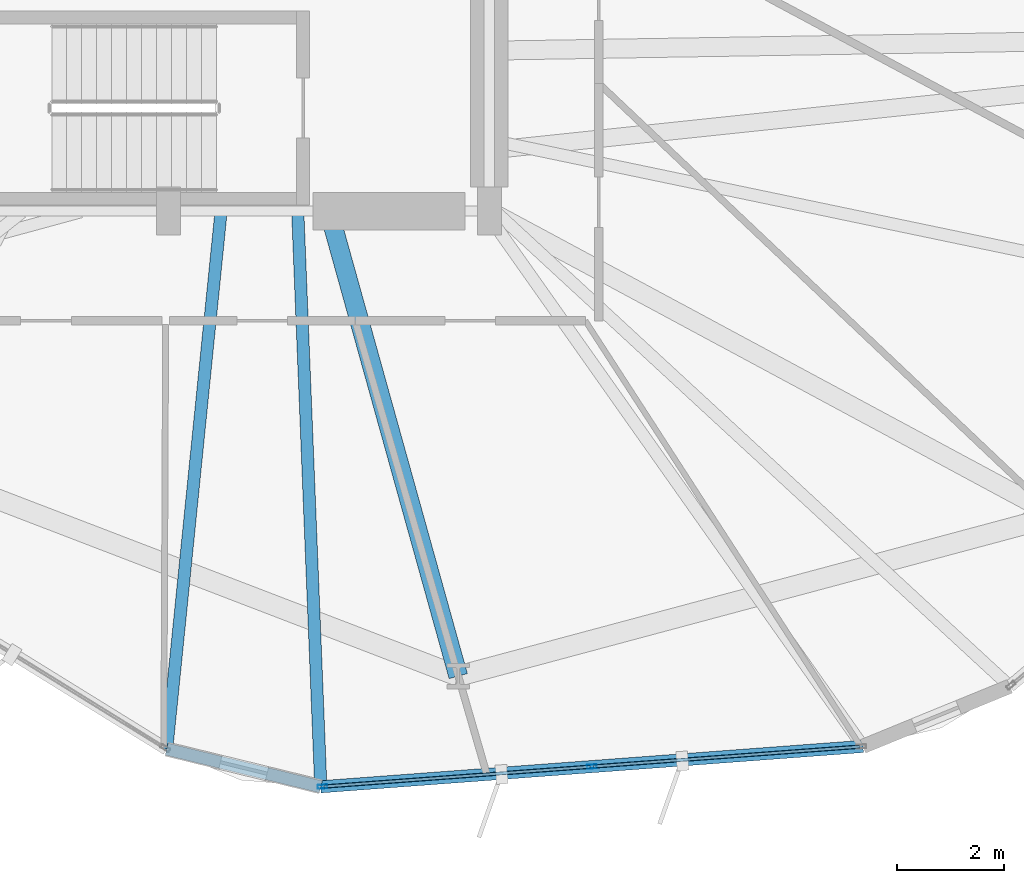
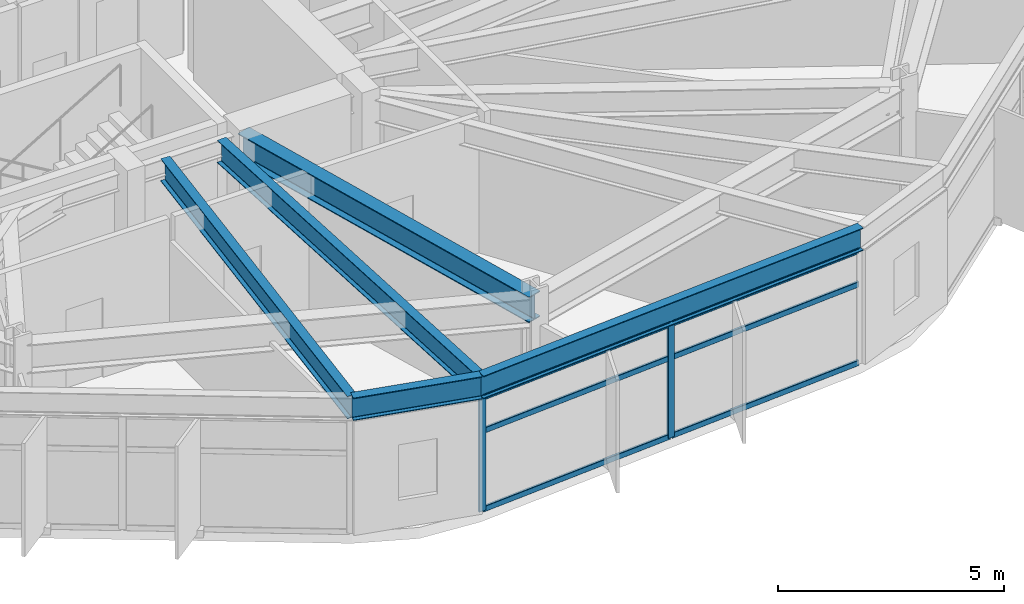
# One storey, part 4 of 22: 8 members, 5 beams, 1 element without a shape of its own.
"""IFC4 building model written with IfcOpenShell, lengths in metres."""

from ifc_helpers import new_model, si_unit, direction, frame, origin, origin_2d, place, context, subcontext, project, spatial, hollow_rectangle, i_section, extrude, material, layer, layer_set, material_profile, profile_set, type_object, element, aggregate, save


model = new_model("IFC4")

# Units and contexts
model_context = context("Model", 3, precision=1e-05, world=origin(), true_north=direction((0.0, 1.0)))
body_context = subcontext(model_context, "Body", "Model", "MODEL_VIEW")
ifc_project = project(units=[si_unit("LENGTHUNIT", "METRE"), si_unit("AREAUNIT", "SQUARE_METRE"), si_unit("VOLUMEUNIT", "CUBIC_METRE"), si_unit("PLANEANGLEUNIT", "RADIAN"), si_unit("MASSUNIT", "GRAM", prefix="KILO")], contexts=[model_context])

# Site, building, storey
site_placement = place(None, origin())
site = spatial("IfcSite", under=ifc_project, at=site_placement, CompositionType="ELEMENT")
building_placement = place(site_placement, origin())
building = spatial("IfcBuilding", under=site, at=building_placement, Name="Soratama Intermodal Tower", CompositionType="ELEMENT")
storey_placement = place(building_placement, frame((0.0, 0.0, 46.60009765625)))
storey = spatial("IfcBuildingStorey", under=building, at=storey_placement, Name="L10", CompositionType="ELEMENT", Elevation=46.60009765625)

# Beams
ifc_material_1 = material(Name="Structural steel ASTM A992 Grade 50", Category="steel")
ifc_material_profile_1 = material_profile(ifc_material_1, i_section(OverallWidth=0.35498046875, OverallDepth=0.695068359375, WebThickness=0.015380859375, FlangeThickness=0.02490234375, FilletRadius=0.01611328125, at=origin_2d()), Name="W27X146")
ifc_profile_set_1 = profile_set([ifc_material_profile_1], Name="Structural steel ASTM A992 Grade 50")
beam_type_1 = type_object("IfcBeamType", Name="BM-RING-W27X146", PredefinedType="BEAM", material=ifc_profile_set_1)
beam_1_placement = place(storey_placement, frame((41.60009765625, 15.0, 3.352294921875), z_axis=(0.26814752121, -0.963377862974, 0.0), x_axis=(0.963377862974, 0.26814752121, 0.0)))
element("IfcBeam", 1, at=beam_1_placement, inside=storey, type_object=beam_type_1, Name="BM-L10-RAD-08", PredefinedType="BEAM", context=body_context, shape_type="SweptSolid", body=[
    extrude(i_section(OverallWidth=0.35498046875, OverallDepth=0.695068359375, WebThickness=0.015380859375, FlangeThickness=0.02490234375, FilletRadius=0.01611328125, at=origin_2d()), origin(), (0.0, 0.0, 1.0), 9.024658203125),
])
ifc_material_2 = material(Name="Structural steel ASTM A992 Grade 50", Category="steel")
ifc_material_profile_2 = material_profile(ifc_material_2, i_section(OverallWidth=0.22900390625, OverallDepth=0.612060546875, WebThickness=0.011962890625, FlangeThickness=0.01953125, FilletRadius=0.012939453125, at=origin_2d()), Name="W24X84")
ifc_profile_set_2 = profile_set([ifc_material_profile_2], Name="Structural steel ASTM A992 Grade 50")
beam_type_2 = type_object("IfcBeamType", Name="BM-SPN-W24X84", PredefinedType="SPANDREL", material=ifc_profile_set_2)
beam_2_placement = place(storey_placement, frame((38.568115234375, 4.94091796875, 3.393798828125), z_axis=(0.971369050181, -0.237575605547, 0.0), x_axis=(0.237575605547, 0.971369050181, 0.0)))
element("IfcBeam", 2, at=beam_2_placement, inside=storey, type_object=beam_type_2, Name="BS-L10-CRN07", PredefinedType="SPANDREL", context=body_context, shape_type="SweptSolid", body=[
    extrude(i_section(OverallWidth=0.22900390625, OverallDepth=0.612060546875, WebThickness=0.011962890625, FlangeThickness=0.01953125, FilletRadius=0.012939453125, at=origin_2d()), origin(), (0.0, 0.0, 1.0), 2.966796875),
])
beam_3_placement = place(storey_placement, frame((41.449951171875, 4.236083984375, 3.393798828125), z_axis=(0.997238712388, 0.074262712813, 0.0), x_axis=(-0.074262712813, 0.997238712388, 0.0)))
element("IfcBeam", 3, at=beam_3_placement, inside=storey, type_object=beam_type_2, Name="BS-L10-F08", PredefinedType="SPANDREL", context=body_context, shape_type="SweptSolid", body=[
    extrude(i_section(OverallWidth=0.22900390625, OverallDepth=0.612060546875, WebThickness=0.011962890625, FlangeThickness=0.01953125, FilletRadius=0.012939453125, at=origin_2d()), origin(), (0.0, 0.0, 1.0), 10.1650390625),
])
ifc_material_3 = material(Name="Structural steel ASTM A992 Grade 50", Category="steel")
ifc_material_profile_3 = material_profile(ifc_material_3, i_section(OverallWidth=0.22900390625, OverallDepth=0.612060546875, WebThickness=0.011962890625, FlangeThickness=0.01953125, FilletRadius=0.012939453125, at=origin_2d()), Name="W24X84")
ifc_profile_set_3 = profile_set([ifc_material_profile_3], Name="Structural steel ASTM A992 Grade 50")
beam_type_3 = type_object("IfcBeamType", Name="BM-TIE-W24X84", PredefinedType="BEAM", material=ifc_profile_set_3)
beam_4_placement = place(storey_placement, frame((39.58203125, 14.9599609375, 3.393798828125), z_axis=(-0.10068463562, -0.994918390698, 0.0), x_axis=(0.994918390698, -0.10068463562, 0.0)))
element("IfcBeam", 4, at=beam_4_placement, inside=storey, type_object=beam_type_3, Name="BM-L10-TIE1-07", PredefinedType="BEAM", context=body_context, shape_type="SweptSolid", body=[
    extrude(i_section(OverallWidth=0.22900390625, OverallDepth=0.612060546875, WebThickness=0.011962890625, FlangeThickness=0.01953125, FilletRadius=0.012939453125, at=origin_2d()), origin(), (0.0, 0.0, 1.0), 10.0703125),
])
beam_5_placement = place(storey_placement, frame((41.02001953125, 14.9599609375, 3.393798828125), z_axis=(0.040058884049, -0.999197320757, 0.0), x_axis=(0.999197320757, 0.040058884049, 0.0)))
element("IfcBeam", 5, at=beam_5_placement, inside=storey, type_object=beam_type_3, Name="BM-L10-TIE0-08", PredefinedType="BEAM", context=body_context, shape_type="SweptSolid", body=[
    extrude(i_section(OverallWidth=0.22900390625, OverallDepth=0.612060546875, WebThickness=0.011962890625, FlangeThickness=0.01953125, FilletRadius=0.012939453125, at=origin_2d()), origin(), (0.0, 0.0, 1.0), 10.732421875),
])

# Curtain wall, members
ifc_material_4 = material(Name="Double-glazed aluminium curtain wall", Category="aluminium")
ifc_layer = layer(ifc_material_4, 0.159912109375)
ifc_layer_set = layer_set([ifc_layer], Name="Double-glazed aluminium curtain wall")
curtain_wall_type = type_object("IfcCurtainWallType", Name="CW-SYS-2", PredefinedType="NOTDEFINED", material=ifc_layer_set)
curtain_wall_placement = place(storey_placement, origin())
curtain_wall = element("IfcCurtainWall", 6, at=curtain_wall_placement, inside=storey, type_object=curtain_wall_type, Name="L10 Faceted Curtain Wall F08", PredefinedType="NOTDEFINED")
ifc_material_5 = material(Name="Anodised aluminium AA 6063-T6", Category="aluminium")
ifc_material_profile_4 = material_profile(ifc_material_5, hollow_rectangle(XDim=0.074951171875, YDim=0.179931640625, WallThickness=0.006103515625, InnerFilletRadius=0.006103515625, OuterFilletRadius=0.011962890625, at=origin_2d()), Name="CWM180X75X6")
ifc_profile_set_4 = profile_set([ifc_material_profile_4], Name="Anodised aluminium AA 6063-T6")
member_type_1 = type_object("IfcMemberType", Name="MT-CWM-2", PredefinedType="MULLION", material=ifc_profile_set_4)
member_1_placement = place(storey_placement, frame((41.47998046875, 4.238525390625, 0.0), z_axis=(0.0, 0.0, 1.0), x_axis=(-0.074282961886, 0.997237204267, 0.0)))
member_1 = element("IfcMember", 7, at=member_1_placement, type_object=member_type_1, Name="CW-2 mullion 1", PredefinedType="MULLION", context=body_context, shape_type="SweptSolid", body=[
    extrude(hollow_rectangle(XDim=0.074951171875, YDim=0.179931640625, WallThickness=0.006103515625, InnerFilletRadius=0.006103515625, OuterFilletRadius=0.011962890625, at=origin_2d()), origin(), (0.0, 0.0, 1.0), 3.078857421875),
])
member_2_placement = place(storey_placement, frame((46.5185546875, 4.61376953125, 0.0), z_axis=(0.0, 0.0, 1.0), x_axis=(-0.074282961886, 0.997237204267, 0.0)))
member_2 = element("IfcMember", 8, at=member_2_placement, type_object=member_type_1, Name="CW-2 mullion 2", PredefinedType="MULLION", context=body_context, shape_type="SweptSolid", body=[
    extrude(hollow_rectangle(XDim=0.074951171875, YDim=0.179931640625, WallThickness=0.006103515625, InnerFilletRadius=0.006103515625, OuterFilletRadius=0.011962890625, at=origin_2d()), origin(), (0.0, 0.0, 1.0), 3.078857421875),
])
ifc_material_6 = material(Name="Anodised aluminium AA 6063-T6", Category="aluminium")
ifc_material_profile_5 = material_profile(ifc_material_6, hollow_rectangle(XDim=0.06494140625, YDim=0.14990234375, WallThickness=0.0048828125, InnerFilletRadius=0.0048828125, OuterFilletRadius=0.010009765625, at=origin_2d()), Name="CWT150X65X5")
ifc_profile_set_5 = profile_set([ifc_material_profile_5], Name="Anodised aluminium AA 6063-T6")
member_type_2 = type_object("IfcMemberType", Name="TT-CWT-1", PredefinedType="USERDEFINED", material=ifc_profile_set_5)
member_3_placement = place(storey_placement, frame((41.509765625, 4.24072265625, 0.02978515625), z_axis=(0.997237382723, 0.074280566094, 0.0), x_axis=(-0.074280566094, 0.997237382723, 0.0)))
member_3 = element("IfcMember", 9, at=member_3_placement, type_object=member_type_2, Name="CW-2 transom 1.1", ObjectType="TRANSOM", PredefinedType="USERDEFINED", context=body_context, shape_type="SweptSolid", body=[
    extrude(hollow_rectangle(XDim=0.06494140625, YDim=0.14990234375, WallThickness=0.0048828125, InnerFilletRadius=0.0048828125, OuterFilletRadius=0.010009765625, at=origin_2d()), origin(), (0.0, 0.0, 1.0), 4.992431640625),
])
member_4_placement = place(storey_placement, frame((41.509765625, 4.24072265625, 2.14990234375), z_axis=(0.997237382723, 0.074280566094, 0.0), x_axis=(-0.074280566094, 0.997237382723, 0.0)))
member_4 = element("IfcMember", 10, at=member_4_placement, type_object=member_type_2, Name="CW-2 transom 1.2", ObjectType="TRANSOM", PredefinedType="USERDEFINED", context=body_context, shape_type="SweptSolid", body=[
    extrude(hollow_rectangle(XDim=0.06494140625, YDim=0.14990234375, WallThickness=0.0048828125, InnerFilletRadius=0.0048828125, OuterFilletRadius=0.010009765625, at=origin_2d()), origin(), (0.0, 0.0, 1.0), 4.992431640625),
])
member_5_placement = place(storey_placement, frame((41.509765625, 4.24072265625, 3.048828125), z_axis=(0.997237382723, 0.074280566094, 0.0), x_axis=(-0.074280566094, 0.997237382723, 0.0)))
member_5 = element("IfcMember", 11, at=member_5_placement, type_object=member_type_2, Name="CW-2 transom 1.3", ObjectType="TRANSOM", PredefinedType="USERDEFINED", context=body_context, shape_type="SweptSolid", body=[
    extrude(hollow_rectangle(XDim=0.06494140625, YDim=0.14990234375, WallThickness=0.0048828125, InnerFilletRadius=0.0048828125, OuterFilletRadius=0.010009765625, at=origin_2d()), origin(), (0.0, 0.0, 1.0), 4.992431640625),
])
member_6_placement = place(storey_placement, frame((46.548583984375, 4.615966796875, 0.02978515625), z_axis=(0.997233759194, 0.074329196978, 0.0), x_axis=(-0.074329196978, 0.997233759194, 0.0)))
member_6 = element("IfcMember", 12, at=member_6_placement, type_object=member_type_2, Name="CW-2 transom 2.1", ObjectType="TRANSOM", PredefinedType="USERDEFINED", context=body_context, shape_type="SweptSolid", body=[
    extrude(hollow_rectangle(XDim=0.06494140625, YDim=0.14990234375, WallThickness=0.0048828125, InnerFilletRadius=0.0048828125, OuterFilletRadius=0.010009765625, at=origin_2d()), origin(), (0.0, 0.0, 1.0), 4.99267578125),
])
member_7_placement = place(storey_placement, frame((46.548583984375, 4.615966796875, 2.14990234375), z_axis=(0.997233759194, 0.074329196978, 0.0), x_axis=(-0.074329196978, 0.997233759194, 0.0)))
member_7 = element("IfcMember", 13, at=member_7_placement, type_object=member_type_2, Name="CW-2 transom 2.2", ObjectType="TRANSOM", PredefinedType="USERDEFINED", context=body_context, shape_type="SweptSolid", body=[
    extrude(hollow_rectangle(XDim=0.06494140625, YDim=0.14990234375, WallThickness=0.0048828125, InnerFilletRadius=0.0048828125, OuterFilletRadius=0.010009765625, at=origin_2d()), origin(), (0.0, 0.0, 1.0), 4.99267578125),
])
member_8_placement = place(storey_placement, frame((46.548583984375, 4.615966796875, 3.048828125), z_axis=(0.997233759194, 0.074329196978, 0.0), x_axis=(-0.074329196978, 0.997233759194, 0.0)))
member_8 = element("IfcMember", 14, at=member_8_placement, type_object=member_type_2, Name="CW-2 transom 2.3", ObjectType="TRANSOM", PredefinedType="USERDEFINED", context=body_context, shape_type="SweptSolid", body=[
    extrude(hollow_rectangle(XDim=0.06494140625, YDim=0.14990234375, WallThickness=0.0048828125, InnerFilletRadius=0.0048828125, OuterFilletRadius=0.010009765625, at=origin_2d()), origin(), (0.0, 0.0, 1.0), 4.99267578125),
])
aggregate(curtain_wall, [member_1, member_2, member_3, member_4, member_5, member_6, member_7, member_8])

save(model, "model.ifc")
